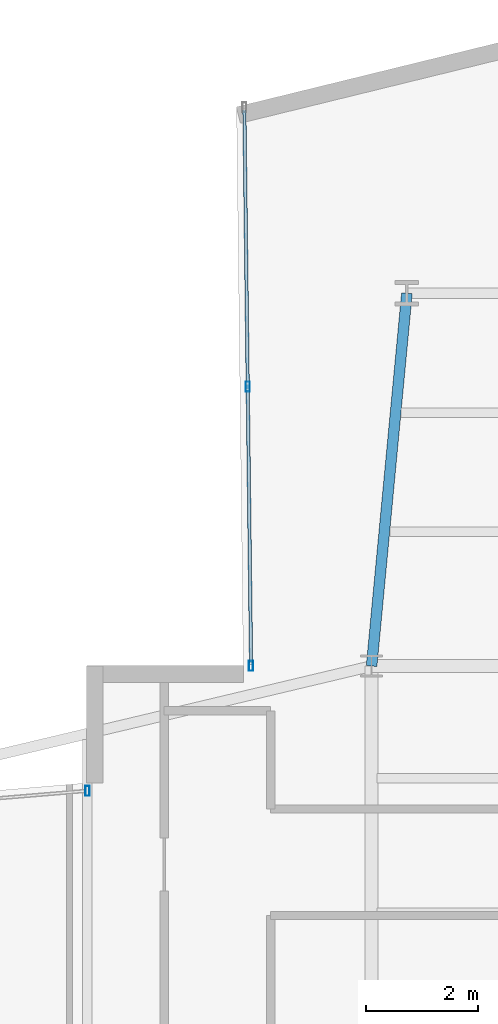
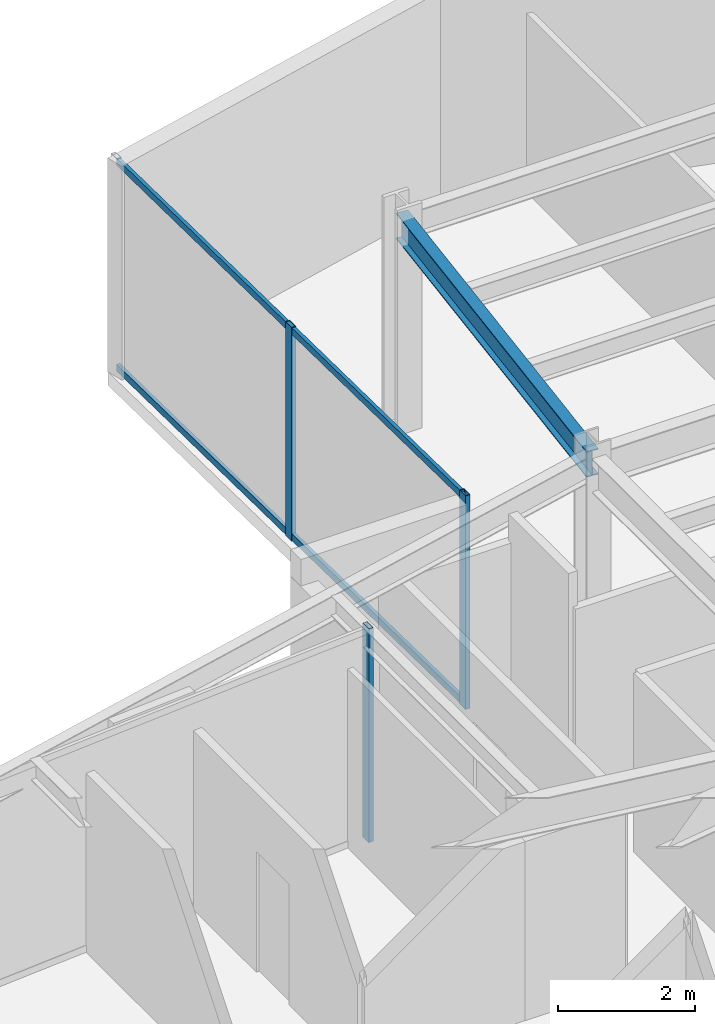
# One storey, part 10 of 26: 5 members, 1 beam, 2 elements without a shape of their own.
"""IFC4 building model written with IfcOpenShell, lengths in metres."""

import ifcopenshell
import ifcopenshell.guid

model = None  # the IFC model being written
_history = None  # IfcOwnerHistory: only IFC2X3 demands one
_inside = {}  # id of a spatial element -> (the spatial element, [elements in it])
_under = {}  # id of a project, library or spatial element -> (it, [spatial elements below it])
_declared = {}  # id of a project -> (the project, [libraries it declares])
_typed = {}  # id of a type object -> (the type object, [elements of that type])
_made_of = {}  # id of a material, layer set ... -> (it, [elements and type objects made of it])


def new_model(schema):
    """Start an empty IFC model of exactly this schema.

    Asked for "IFC4X3", IfcOpenShell would pick the latest addendum, in which some entities
    have other attributes; the version numbers below select the first issue.
    IFC2X3 requires an IfcOwnerHistory on every rooted entity: one is made here for all.
    """
    global model, _history
    if schema == "IFC4X3":
        model = ifcopenshell.file(schema_version=(4, 3, 0, 0))
    else:
        model = ifcopenshell.file(schema=schema)
    _inside.clear()
    _under.clear()
    _declared.clear()
    _typed.clear()
    _made_of.clear()
    _history = None
    if model.schema == "IFC2X3":
        org = make("IfcOrganization", Name="unknown")
        user = make(
            "IfcPersonAndOrganization",
            ThePerson=make("IfcPerson", FamilyName="unknown"),
            TheOrganization=org,
        )
        app = make(
            "IfcApplication",
            ApplicationDeveloper=org,
            Version="unknown",
            ApplicationFullName="unknown",
            ApplicationIdentifier="unknown",
        )
        _history = make(
            "IfcOwnerHistory",
            OwningUser=user,
            OwningApplication=app,
            ChangeAction="ADDED",
            CreationDate=0,
        )
    return model


def make(cls, **values):
    """One entity of the class cls with the attributes given. An attribute that is None is left unset."""
    return model.create_entity(
        cls, **{name: value for name, value in values.items() if value is not None}
    )


def rooted(cls, **values):
    """An entity with a GlobalId (a new one), such as an element, a storey or a relation."""
    return make(cls, GlobalId=ifcopenshell.guid.new(), OwnerHistory=_history, **values)


def si_unit(unit_type, name, prefix=None):
    """IfcSIUnit, for example si_unit("LENGTHUNIT", "METRE", prefix="MILLI")."""
    return make("IfcSIUnit", UnitType=unit_type, Prefix=prefix, Name=name)


def assignment(units):
    """IfcUnitAssignment: the units of a project."""
    return None if units is None else make("IfcUnitAssignment", Units=units)


def point(xyz):
    """IfcCartesianPoint."""
    return None if xyz is None else make("IfcCartesianPoint", Coordinates=xyz)


def direction(xyz):
    """IfcDirection."""
    return None if xyz is None else make("IfcDirection", DirectionRatios=xyz)


def frame(location, z_axis=None, x_axis=None):
    """IfcAxis2Placement3D, a coordinate frame: its origin and axes. An axis left out is left unset."""
    return make(
        "IfcAxis2Placement3D",
        Location=point(location),
        Axis=direction(z_axis),
        RefDirection=direction(x_axis),
    )


def frame_2d(location, x_axis=None):
    """IfcAxis2Placement2D, a coordinate frame in the plane: its origin and x axis."""
    return make(
        "IfcAxis2Placement2D", Location=point(location), RefDirection=direction(x_axis)
    )


def origin():
    """The frame at (0, 0, 0) with its axes left unset."""
    return frame((0.0, 0.0, 0.0))


def origin_2d():
    """The frame at (0, 0) in the plane with its x axis left unset."""
    return frame_2d((0.0, 0.0))


def place(relative_to, where):
    """IfcLocalPlacement: puts the frame where relative to a parent placement (None: the world)."""
    return make(
        "IfcLocalPlacement", PlacementRelTo=relative_to, RelativePlacement=where
    )


def context(
    kind, dimensions, precision=None, world=None, true_north=None, identifier=None
):
    """IfcGeometricRepresentationContext, for example the 3D "Model" context."""
    return make(
        "IfcGeometricRepresentationContext",
        ContextIdentifier=identifier,
        ContextType=kind,
        CoordinateSpaceDimension=dimensions,
        Precision=precision,
        WorldCoordinateSystem=world,
        TrueNorth=true_north,
    )


def subcontext(parent, identifier, kind, view, scale=None):
    """IfcGeometricRepresentationSubContext, for example "Body" below "Model"."""
    return make(
        "IfcGeometricRepresentationSubContext",
        ContextIdentifier=identifier,
        ContextType=kind,
        ParentContext=parent,
        TargetScale=scale,
        TargetView=view,
    )


def project(units=None, contexts=None):
    """IfcProject with its units and contexts."""
    return rooted(
        "IfcProject",
        Name="project",
        RepresentationContexts=contexts,
        UnitsInContext=assignment(units),
    )


def spatial(cls, under=None, at=None, **own):
    """A site, building, storey or space (cls), placed at a placement, below another one or the project."""
    s = rooted(cls, ObjectPlacement=at, **own)
    if under is not None:
        _under.setdefault(under.id(), (under, []))[1].append(s)
    return s


def profile(cls, at=None, kind="AREA", **sizes):
    """A parametric profile (cls). Its sizes go by their IFC names, for example OverallWidth=200.0."""
    return make(cls, ProfileType=kind, Position=at, **sizes)


def hollow_rectangle(**sizes):
    """IfcRectangleHollowProfileDef."""
    return profile("IfcRectangleHollowProfileDef", **sizes)


def i_section(**sizes):
    """IfcIShapeProfileDef."""
    return profile("IfcIShapeProfileDef", **sizes)


def extrude(swept, where, along, depth):
    """IfcExtrudedAreaSolid: the profile swept, set in the frame where, extruded along a direction by depth."""
    return make(
        "IfcExtrudedAreaSolid",
        SweptArea=swept,
        Position=where,
        ExtrudedDirection=direction(along),
        Depth=depth,
    )


def shape(context_of_items, identifier, shape_type, items):
    """IfcShapeRepresentation: the items that make up one representation, for example the "Body"."""
    return make(
        "IfcShapeRepresentation",
        ContextOfItems=context_of_items,
        RepresentationIdentifier=identifier,
        RepresentationType=shape_type,
        Items=items,
    )


def material(Name=None, Category=None):
    """IfcMaterial."""
    return make("IfcMaterial", Name=Name, Category=Category)


def layer(
    of_material, thickness, ventilated=None, Name=None, Category=None, Priority=None
):
    """IfcMaterialLayer: one layer of a wall or slab, of a material (None: an air gap)."""
    return make(
        "IfcMaterialLayer",
        Material=of_material,
        LayerThickness=thickness,
        IsVentilated=ventilated,
        Name=Name,
        Category=Category,
        Priority=Priority,
    )


def layer_set(layers, Name=None):
    """IfcMaterialLayerSet."""
    return make("IfcMaterialLayerSet", MaterialLayers=layers, LayerSetName=Name)


def material_profile(
    of_material, cross_section, Name=None, Category=None, Priority=None
):
    """IfcMaterialProfile: a cross section and its material."""
    return make(
        "IfcMaterialProfile",
        Name=Name,
        Material=of_material,
        Profile=cross_section,
        Priority=Priority,
        Category=Category,
    )


def profile_set(profiles, Name=None, composite=None):
    """IfcMaterialProfileSet."""
    return make(
        "IfcMaterialProfileSet",
        Name=Name,
        MaterialProfiles=profiles,
        CompositeProfile=composite,
    )


def made_of(thing, what):
    """Note that an element or type object is made of a material, layer set ...; save() writes the relation."""
    if what is not None:
        _made_of.setdefault(what.id(), (what, []))[1].append(thing)
    return thing


def type_object(cls, material=None, **own):
    """A type object (cls), such as IfcWallType, which elements share."""
    return made_of(rooted(cls, **own), material)


def element(
    cls,
    number,
    at=None,
    inside=None,
    cuts=None,
    type_object=None,
    material=None,
    context=None,
    identifier="Body",
    shape_type=None,
    held_by="IfcProductDefinitionShape",
    body=None,
    shapes=None,
    **own,
):
    """One element of the class cls, such as IfcWall. Its Tag is "e" and its number.

    at: its placement. inside: the storey or other place that contains it. cuts: it is an
    opening in that element (IfcRelVoidsElement). A single representation is given by context,
    identifier, shape_type and body (its items); several are given by shapes. held_by: the class
    of the entity that holds the representations. save() writes the other relations.
    """
    e = rooted(cls, Tag="e%d" % number, ObjectPlacement=at, **own)
    if body is not None:
        shapes = [shape(context, identifier, shape_type, body)]
    if shapes is not None:
        e.Representation = make(held_by, Representations=shapes)
    if inside is not None:
        _inside.setdefault(inside.id(), (inside, []))[1].append(e)
    if cuts is not None:
        rooted(
            "IfcRelVoidsElement", RelatingBuildingElement=cuts, RelatedOpeningElement=e
        )
    if type_object is not None:
        _typed.setdefault(type_object.id(), (type_object, []))[1].append(e)
    return made_of(e, material)


def aggregate(whole, parts):
    """IfcRelAggregates: a whole, such as a stair, and the parts it consists of."""
    return rooted("IfcRelAggregates", RelatingObject=whole, RelatedObjects=parts)


def save(model, path):
    """Write the relations noted so far, then the file.

    IfcRelAggregates (storeys below a building ...), IfcRelContainedInSpatialStructure (elements
    in a storey), IfcRelDefinesByType, IfcRelAssociatesMaterial and IfcRelDeclares: one each for
    every whole, place, type object, material and project.
    """
    for whole, parts in _under.values():
        aggregate(whole, parts)
    for where, things in _inside.values():
        rooted(
            "IfcRelContainedInSpatialStructure",
            RelatedElements=things,
            RelatingStructure=where,
        )
    for kind, things in _typed.values():
        rooted("IfcRelDefinesByType", RelatedObjects=things, RelatingType=kind)
    for what, things in _made_of.values():
        rooted("IfcRelAssociatesMaterial", RelatedObjects=things, RelatingMaterial=what)
    for by, libraries in _declared.values():
        rooted("IfcRelDeclares", RelatingContext=by, RelatedDefinitions=libraries)
    model.write(path)


model = new_model("IFC4")

# Units and contexts
model_context = context("Model", 3, precision=1e-05, world=origin(), true_north=direction((0.0, 1.0)))
body_context = subcontext(model_context, "Body", "Model", "MODEL_VIEW")
ifc_project = project(units=[si_unit("LENGTHUNIT", "METRE"), si_unit("AREAUNIT", "SQUARE_METRE"), si_unit("VOLUMEUNIT", "CUBIC_METRE"), si_unit("PLANEANGLEUNIT", "RADIAN"), si_unit("MASSUNIT", "GRAM", prefix="KILO")], contexts=[model_context])

# Site, building, storey
site_placement = place(None, origin())
site = spatial("IfcSite", under=ifc_project, at=site_placement, CompositionType="ELEMENT")
building_placement = place(site_placement, origin())
building = spatial("IfcBuilding", under=site, at=building_placement, Name="Veymaron Broadcast Tower", CompositionType="ELEMENT")
storey_placement = place(building_placement, frame((0.0, 0.0, 133.050048828125)))
storey = spatial("IfcBuildingStorey", under=building, at=storey_placement, Name="L30", CompositionType="ELEMENT", Elevation=133.050048828125)

# Beam
ifc_material_1 = material(Name="Structural steel ASTM A992 Gr 50", Category="steel")
ifc_material_profile_1 = material_profile(ifc_material_1, i_section(OverallWidth=0.19091796875, OverallDepth=0.4599609375, WebThickness=0.010009765625, FlangeThickness=0.01611328125, at=origin_2d()), Name="W460X82")
ifc_profile_set_1 = profile_set([ifc_material_profile_1], Name="Structural steel ASTM A992 Gr 50")
beam_type = type_object("IfcBeamType", Name="BM-SP1", PredefinedType="SPANDREL", material=ifc_profile_set_1)
beam_placement = place(storey_placement, frame((31.199951171875, 32.0, 3.579833984375), z_axis=(0.094334757201, 0.995540533371, 0.0), x_axis=(-0.995540533371, 0.094334757201, 0.0)))
element("IfcBeam", 1, at=beam_placement, inside=storey, type_object=beam_type, Name="L30 primary structural floor girder", PredefinedType="SPANDREL", context=body_context, shape_type="SweptSolid", body=[
    extrude(i_section(OverallWidth=0.19091796875, OverallDepth=0.4599609375, WebThickness=0.010009765625, FlangeThickness=0.01611328125, at=origin_2d()), origin(), (0.0, 0.0, 1.0), 6.6796875),
])

# Curtain wall, members
ifc_material_2 = material(Name="Anodised aluminium AA 6063-T6 and laminated low-E dark glass", Category="aluminium")
ifc_layer = layer(ifc_material_2, 0.179931640625)
ifc_layer_set = layer_set([ifc_layer], Name="Anodised aluminium AA 6063-T6 and laminated low-E dark glass")
curtain_wall_type = type_object("IfcCurtainWallType", Name="CW-SYS-03", PredefinedType="NOTDEFINED", material=ifc_layer_set)
curtain_wall_1_placement = place(storey_placement, origin())
curtain_wall_1 = element("IfcCurtainWall", 2, at=curtain_wall_1_placement, inside=storey, type_object=curtain_wall_type, Name="L30 dark-glass curtain wall CW-L30-E8-1", PredefinedType="NOTDEFINED")
ifc_material_3 = material(Name="Anodised aluminium AA 6063-T6", Category="aluminium")
ifc_material_profile_2 = material_profile(ifc_material_3, hollow_rectangle(XDim=0.074951171875, YDim=0.179931640625, WallThickness=0.0048828125, at=origin_2d()), Name="AL180X75X5")
ifc_profile_set_2 = profile_set([ifc_material_profile_2], Name="Anodised aluminium AA 6063-T6")
member_type_1 = type_object("IfcMemberType", Name="CW-MUL-02", PredefinedType="MULLION", material=ifc_profile_set_2)
member_1_placement = place(storey_placement, frame((28.989990234375, 36.984130859375, 0.0), z_axis=(0.0, 0.0, 1.0), x_axis=(1.0, 0.0, 0.0)))
member_1 = element("IfcMember", 3, at=member_1_placement, type_object=member_type_1, Name="CW-L30-E8-1 mullion 1", PredefinedType="MULLION", context=body_context, shape_type="SweptSolid", body=[
    extrude(hollow_rectangle(XDim=0.074951171875, YDim=0.179931640625, WallThickness=0.0048828125, at=origin_2d()), origin(), (0.0, 0.0, 1.0), 3.81005859375),
])
member_2_placement = place(storey_placement, frame((29.05029296875, 32.001708984375, 0.0), z_axis=(0.0, 0.0, 1.0), x_axis=(1.0, 0.0, 0.0)))
member_2 = element("IfcMember", 4, at=member_2_placement, type_object=member_type_1, Name="CW-L30-E8-1 mullion 2", PredefinedType="MULLION", context=body_context, shape_type="SweptSolid", body=[
    extrude(hollow_rectangle(XDim=0.074951171875, YDim=0.179931640625, WallThickness=0.0048828125, at=origin_2d()), origin(), (0.0, 0.0, 1.0), 3.81005859375),
])

# Curtain wall, member
curtain_wall_2_placement = place(storey_placement, origin())
curtain_wall_2 = element("IfcCurtainWall", 5, at=curtain_wall_2_placement, inside=storey, type_object=curtain_wall_type, Name="L30 dark-glass curtain wall CW-L30-E11-1", PredefinedType="NOTDEFINED")
member_3_placement = place(storey_placement, frame((26.131591796875, 29.774658203125, 0.0), z_axis=(0.0, 0.0, 1.0), x_axis=(1.0, 0.0, 0.0)))
member_3 = element("IfcMember", 6, at=member_3_placement, type_object=member_type_1, Name="CW-L30-E11-1 mullion 0", PredefinedType="MULLION", context=body_context, shape_type="SweptSolid", body=[
    extrude(hollow_rectangle(XDim=0.074951171875, YDim=0.179931640625, WallThickness=0.0048828125, at=origin_2d()), origin(), (0.0, 0.0, 1.0), 3.81005859375),
])
aggregate(curtain_wall_2, [member_3])

# Member
ifc_material_profile_3 = material_profile(ifc_material_3, hollow_rectangle(XDim=0.06005859375, YDim=0.1201171875, WallThickness=0.00390625, at=origin_2d()), Name="AL120X60X4")
ifc_profile_set_3 = profile_set([ifc_material_profile_3], Name="Anodised aluminium AA 6063-T6")
member_type_2 = type_object("IfcMemberType", Name="CW-TRN-02", PredefinedType="USERDEFINED", material=ifc_profile_set_3)
member_4_placement = place(storey_placement, frame((28.9306640625, 41.916748046875, 0.070068359375), z_axis=(0.012076234683, -0.999927079619, 0.0), x_axis=(0.999927079619, 0.012076234683, 0.0)))
member_4 = element("IfcMember", 7, at=member_4_placement, type_object=member_type_2, Name="CW-L30-E8-1 transom B", ObjectType="TRANSOM", PredefinedType="USERDEFINED", context=body_context, shape_type="SweptSolid", body=[
    extrude(hollow_rectangle(XDim=0.06005859375, YDim=0.1201171875, WallThickness=0.00390625, at=origin_2d()), origin(), (0.0, 0.0, 1.0), 9.86572265625),
])

member_5_placement = place(storey_placement, frame((28.9306640625, 41.916748046875, 3.739990234375), z_axis=(0.012076234683, -0.999927079619, 0.0), x_axis=(0.999927079619, 0.012076234683, 0.0)))
member_5 = element("IfcMember", 8, at=member_5_placement, type_object=member_type_2, Name="CW-L30-E8-1 transom T", ObjectType="TRANSOM", PredefinedType="USERDEFINED", context=body_context, shape_type="SweptSolid", body=[
    extrude(hollow_rectangle(XDim=0.06005859375, YDim=0.1201171875, WallThickness=0.00390625, at=origin_2d()), origin(), (0.0, 0.0, 1.0), 9.86572265625),
])

aggregate(curtain_wall_1, [member_1, member_2, member_4, member_5])

save(model, "model.ifc")
